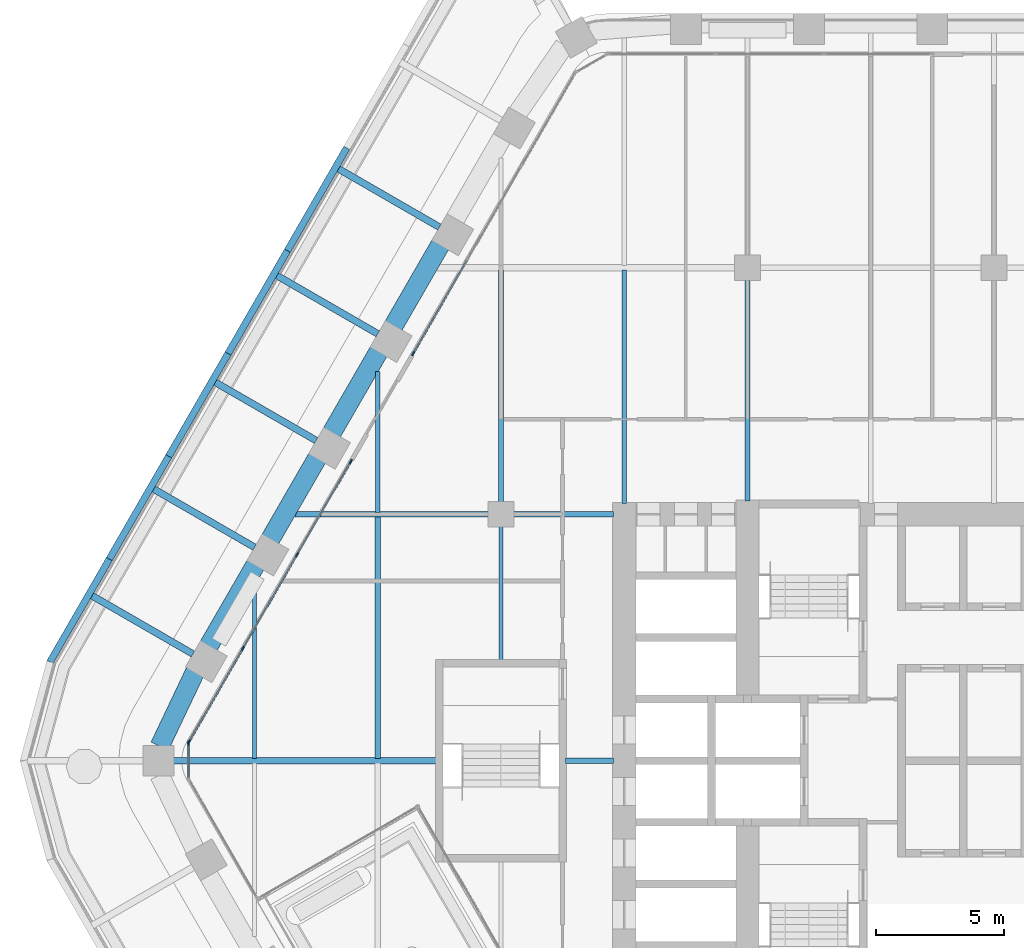
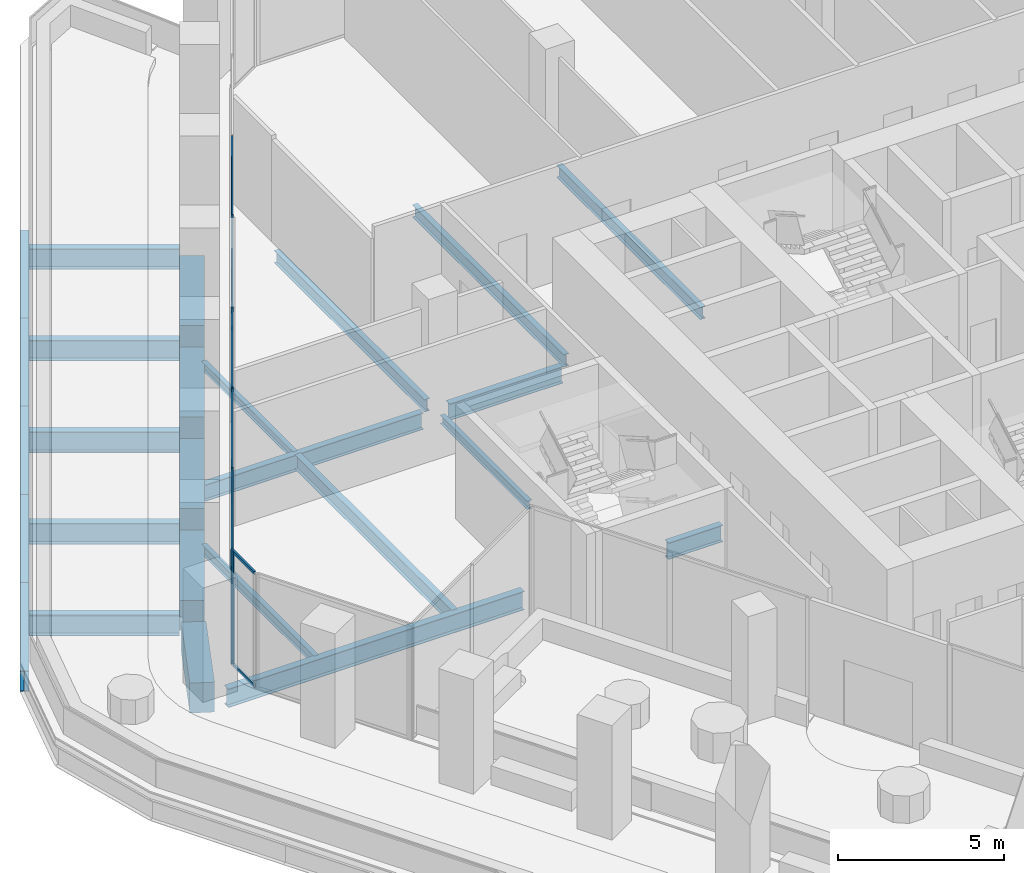
# One storey, part 7 of 27: 26 beams, 16 members, 3 elements without a shape of their own.
"""IFC4 building model written with IfcOpenShell, lengths in metres."""

from ifc_helpers import new_model, si_unit, direction, frame, origin, origin_2d, place, context, subcontext, project, spatial, rectangle, i_section, extrude, material, material_profile, profile_set, type_object, element, aggregate, save


model = new_model("IFC4")

# Units and contexts
model_context = context("Model", 3, precision=1e-05, world=origin(), true_north=direction((0.0, 1.0)))
body_context = subcontext(model_context, "Body", "Model", "MODEL_VIEW")
ifc_project = project(units=[si_unit("LENGTHUNIT", "METRE"), si_unit("AREAUNIT", "SQUARE_METRE"), si_unit("VOLUMEUNIT", "CUBIC_METRE"), si_unit("PLANEANGLEUNIT", "RADIAN"), si_unit("MASSUNIT", "GRAM", prefix="KILO")], contexts=[model_context])

# Site, building, storey
site_placement = place(None, origin())
site = spatial("IfcSite", under=ifc_project, at=site_placement, CompositionType="ELEMENT")
building_placement = place(site_placement, origin())
building = spatial("IfcBuilding", under=site, at=building_placement, Name="Kolab Exchange Tower", CompositionType="ELEMENT")
storey_placement = place(building_placement, frame((0.0, 0.0, 122.89990234375)))
storey = spatial("IfcBuildingStorey", under=building, at=storey_placement, Name="L24", CompositionType="ELEMENT", Elevation=122.89990234375)

# Beams
ifc_material_1 = material(Name="Steel S355", Category="steel")
ifc_material_profile_1 = material_profile(ifc_material_1, i_section(OverallWidth=0.1650390625, OverallDepth=0.31005859375, WebThickness=0.005859375, FlangeThickness=0.009765625, at=origin_2d()), Name="W310X39")
ifc_profile_set_1 = profile_set([ifc_material_profile_1], Name="Steel S355")
beam_type_1 = type_object("IfcBeamType", Name="FLOOR BEAM W310X39", PredefinedType="BEAM", material=ifc_profile_set_1)
beam_1_placement = place(storey_placement, frame((-24.0, 9.674072265625, -0.35498046875), z_axis=(0.0, 1.0, 0.0), x_axis=(-1.0, 0.0, 0.0)))
element("IfcBeam", 1, at=beam_1_placement, inside=storey, type_object=beam_type_1, Name="beam/L24/fr/005", PredefinedType="BEAM", context=body_context, shape_type="SweptSolid", body=[
    extrude(i_section(OverallWidth=0.1650390625, OverallDepth=0.31005859375, WebThickness=0.005859375, FlangeThickness=0.009765625, at=origin_2d()), origin(), (0.0, 0.0, 1.0), 5.49365234375),
])
beam_2_placement = place(storey_placement, frame((-19.199951171875, 3.909912109375, -0.35498046875), z_axis=(0.0, 1.0, 0.0), x_axis=(-1.0, 0.0, 0.0)))
element("IfcBeam", 2, at=beam_2_placement, inside=storey, type_object=beam_type_1, Name="beam/L24/fr/009", PredefinedType="BEAM", context=body_context, shape_type="SweptSolid", body=[
    extrude(i_section(OverallWidth=0.1650390625, OverallDepth=0.31005859375, WebThickness=0.005859375, FlangeThickness=0.009765625, at=origin_2d()), origin(), (0.0, 0.0, 1.0), 5.22998046875),
])
ifc_material_profile_2 = material_profile(ifc_material_1, i_section(OverallWidth=0.1708984375, OverallDepth=0.35498046875, WebThickness=0.007080078125, FlangeThickness=0.01171875, at=origin_2d()), Name="W360X51")
ifc_profile_set_2 = profile_set([ifc_material_profile_2], Name="Steel S355")
beam_type_2 = type_object("IfcBeamType", Name="FLOOR BEAM W360X51", PredefinedType="BEAM", material=ifc_profile_set_2)
beam_3_placement = place(storey_placement, frame((-28.800048828125, 0.0869140625, -0.37744140625), z_axis=(0.0, 1.0, 0.0), x_axis=(-1.0, 0.0, 0.0)))
element("IfcBeam", 3, at=beam_3_placement, inside=storey, type_object=beam_type_2, Name="beam/L24/fr/001", PredefinedType="BEAM", context=body_context, shape_type="SweptSolid", body=[
    extrude(i_section(OverallWidth=0.1708984375, OverallDepth=0.35498046875, WebThickness=0.007080078125, FlangeThickness=0.01171875, at=origin_2d()), origin(), (0.0, 0.0, 1.0), 6.766845703125),
])
ifc_material_profile_3 = material_profile(ifc_material_1, i_section(OverallWidth=0.18994140625, OverallDepth=0.45703125, WebThickness=0.009033203125, FlangeThickness=0.014404296875, at=origin_2d()), Name="W460X74")
ifc_profile_set_3 = profile_set([ifc_material_profile_3], Name="Steel S355")
beam_type_3 = type_object("IfcBeamType", Name="FLOOR BEAM W460X74", PredefinedType="BEAM", material=ifc_profile_set_3)
beam_4_placement = place(storey_placement, frame((-19.199951171875, 10.06005859375, -0.428466796875), z_axis=(0.0, 1.0, 0.0), x_axis=(-1.0, 0.0, 0.0)))
element("IfcBeam", 4, at=beam_4_placement, inside=storey, type_object=beam_type_3, Name="beam/L24/fr/010", PredefinedType="BEAM", context=body_context, shape_type="SweptSolid", body=[
    extrude(i_section(OverallWidth=0.18994140625, OverallDepth=0.45703125, WebThickness=0.009033203125, FlangeThickness=0.014404296875, at=origin_2d()), origin(), (0.0, 0.0, 1.0), 9.04638671875),
])
beam_5_placement = place(storey_placement, frame((-14.39990234375, 10.010009765625, -0.428466796875), z_axis=(0.0, 1.0, 0.0), x_axis=(-1.0, 0.0, 0.0)))
element("IfcBeam", 5, at=beam_5_placement, inside=storey, type_object=beam_type_3, Name="beam/L24/fr/014", PredefinedType="BEAM", context=body_context, shape_type="SweptSolid", body=[
    extrude(i_section(OverallWidth=0.18994140625, OverallDepth=0.45703125, WebThickness=0.009033203125, FlangeThickness=0.014404296875, at=origin_2d()), origin(), (0.0, 0.0, 1.0), 9.096435546875),
])
beam_6_placement = place(storey_placement, frame((-9.60009765625, 10.110107421875, -0.428466796875), z_axis=(0.0, 1.0, 0.0), x_axis=(-1.0, 0.0, 0.0)))
element("IfcBeam", 6, at=beam_6_placement, inside=storey, type_object=beam_type_3, Name="beam/L24/fr/018", PredefinedType="BEAM", context=body_context, shape_type="SweptSolid", body=[
    extrude(i_section(OverallWidth=0.18994140625, OverallDepth=0.45703125, WebThickness=0.009033203125, FlangeThickness=0.014404296875, at=origin_2d()), origin(), (0.0, 0.0, 1.0), 8.6298828125),
])
ifc_material_profile_4 = material_profile(ifc_material_1, i_section(OverallWidth=0.208984375, OverallDepth=0.532958984375, WebThickness=0.01025390625, FlangeThickness=0.015625, at=origin_2d()), Name="W530X92")
ifc_profile_set_4 = profile_set([ifc_material_profile_4], Name="Steel S355")
beam_type_4 = type_object("IfcBeamType", Name="FLOOR BEAM W530X92", PredefinedType="BEAM", material=ifc_profile_set_4)
beam_7_placement = place(storey_placement, frame((-24.0, 0.0869140625, -0.46630859375), z_axis=(0.0, 1.0, 0.0), x_axis=(-1.0, 0.0, 0.0)))
element("IfcBeam", 7, at=beam_7_placement, inside=storey, type_object=beam_type_4, Name="beam/L24/fr/004", PredefinedType="BEAM", context=body_context, shape_type="SweptSolid", body=[
    extrude(i_section(OverallWidth=0.208984375, OverallDepth=0.532958984375, WebThickness=0.01025390625, FlangeThickness=0.015625, at=origin_2d()), origin(), (0.0, 0.0, 1.0), 9.43896484375),
])
ifc_material_profile_5 = material_profile(ifc_material_1, i_section(OverallWidth=0.22802734375, OverallDepth=0.60791015625, WebThickness=0.01123046875, FlangeThickness=0.017333984375, at=origin_2d()), Name="W610X113")
ifc_profile_set_5 = profile_set([ifc_material_profile_5], Name="Steel S355")
beam_type_5 = type_object("IfcBeamType", Name="FLOOR GIRDER W610X113", PredefinedType="BEAM", material=ifc_profile_set_5)
beam_8_placement = place(storey_placement, frame((-27.2314453125, 9.60009765625, -0.50390625), z_axis=(1.0, 0.0, 0.0), x_axis=(0.0, 1.0, 0.0)))
element("IfcBeam", 8, at=beam_8_placement, inside=storey, type_object=beam_type_5, Name="beam/L24/gd/002", PredefinedType="BEAM", context=body_context, shape_type="SweptSolid", body=[
    extrude(i_section(OverallWidth=0.22802734375, OverallDepth=0.60791015625, WebThickness=0.01123046875, FlangeThickness=0.017333984375, at=origin_2d()), origin(), (0.0, 0.0, 1.0), 7.571533203125),
])
beam_9_placement = place(storey_placement, frame((-18.739990234375, 9.60009765625, -0.50390625), z_axis=(1.0, 0.0, 0.0), x_axis=(0.0, 1.0, 0.0)))
element("IfcBeam", 9, at=beam_9_placement, inside=storey, type_object=beam_type_5, Name="beam/L24/gd/006", PredefinedType="BEAM", context=body_context, shape_type="SweptSolid", body=[
    extrude(i_section(OverallWidth=0.22802734375, OverallDepth=0.60791015625, WebThickness=0.01123046875, FlangeThickness=0.017333984375, at=origin_2d()), origin(), (0.0, 0.0, 1.0), 3.929931640625),
])
beam_10_placement = place(storey_placement, frame((-16.68994140625, 0.0, -0.50390625), z_axis=(1.0, 0.0, 0.0), x_axis=(0.0, 1.0, 0.0)))
element("IfcBeam", 10, at=beam_10_placement, inside=storey, type_object=beam_type_5, Name="beam/L24/gd/007", PredefinedType="BEAM", context=body_context, shape_type="SweptSolid", body=[
    extrude(i_section(OverallWidth=0.22802734375, OverallDepth=0.60791015625, WebThickness=0.01123046875, FlangeThickness=0.017333984375, at=origin_2d()), origin(), (0.0, 0.0, 1.0), 1.8798828125),
])
ifc_material_profile_6 = material_profile(ifc_material_1, i_section(OverallWidth=0.25390625, OverallDepth=0.68408203125, WebThickness=0.012451171875, FlangeThickness=0.018798828125, at=origin_2d()), Name="W690X140")
ifc_profile_set_6 = profile_set([ifc_material_profile_6], Name="Steel S355")
beam_type_6 = type_object("IfcBeamType", Name="FLOOR GIRDER W690X140", PredefinedType="BEAM", material=ifc_profile_set_6)
beam_11_placement = place(storey_placement, frame((-31.975830078125, 0.0, -0.5419921875), z_axis=(1.0, 0.0, 0.0), x_axis=(0.0, 1.0, 0.0)))
element("IfcBeam", 11, at=beam_11_placement, inside=storey, type_object=beam_type_6, Name="beam/L24/gd/000", PredefinedType="BEAM", context=body_context, shape_type="SweptSolid", body=[
    extrude(i_section(OverallWidth=0.25390625, OverallDepth=0.68408203125, WebThickness=0.012451171875, FlangeThickness=0.018798828125, at=origin_2d()), origin(), (0.0, 0.0, 1.0), 10.265869140625),
])
ifc_material_profile_7 = material_profile(ifc_material_1, i_section(OverallWidth=0.26708984375, OverallDepth=0.761962890625, WebThickness=0.014404296875, FlangeThickness=0.021484375, at=origin_2d()), Name="W760X173")
ifc_profile_set_7 = profile_set([ifc_material_profile_7], Name="Steel S355")
beam_type_7 = type_object("IfcBeamType", Name="FLOOR GIRDER W760X173", PredefinedType="BEAM", material=ifc_profile_set_7)
for number, where, z_axis, x_axis, name in (
    (12, (-31.199951171875, 4.156982421875, -0.640869140625), (-0.866043881399, 0.499967994467, 0.0), (-0.499967994467, -0.866043881399, 0.0), "beam/L24/ledge/rib-08"),
    (13, (-28.800048828125, 8.313720703125, -0.640869140625), (-0.866007095043, 0.500031710329, 0.0), (-0.500031710329, -0.866007095043, 0.0), "beam/L24/ledge/rib-09"),
):
    element("IfcBeam", number, at=place(storey_placement, frame(where, z_axis=z_axis, x_axis=x_axis)), inside=storey, type_object=beam_type_7, Name=name, PredefinedType="BEAM", context=body_context, shape_type="SweptSolid", body=[
        extrude(i_section(OverallWidth=0.26708984375, OverallDepth=0.761962890625, WebThickness=0.014404296875, FlangeThickness=0.021484375, at=origin_2d()), origin(), (0.0, 0.0, 1.0), 4.532958984375),
    ])
for number, where, z_axis, x_axis, name in (
    (14, (-26.39990234375, 12.470703125, -0.640869140625), (-0.866020560687, 0.500008388397, 0.0), (-0.500008388397, -0.866020560687, 0.0), "beam/L24/ledge/rib-10"),
    (15, (-24.0, 16.627685546875, -0.640869140625), (-0.866020560687, 0.500008388397, 0.0), (-0.500008388397, -0.866020560687, 0.0), "beam/L24/ledge/rib-11"),
):
    element("IfcBeam", number, at=place(storey_placement, frame(where, z_axis=z_axis, x_axis=x_axis)), inside=storey, type_object=beam_type_7, Name=name, PredefinedType="BEAM", context=body_context, shape_type="SweptSolid", body=[
        extrude(i_section(OverallWidth=0.26708984375, OverallDepth=0.761962890625, WebThickness=0.014404296875, FlangeThickness=0.021484375, at=origin_2d()), origin(), (0.0, 0.0, 1.0), 4.533203125),
    ])
beam_12_placement = place(storey_placement, frame((-21.60009765625, 20.78466796875, -0.640869140625), z_axis=(-0.866030417568, 0.499991315771, 0.0), x_axis=(-0.499991315771, -0.866030417568, 0.0)))
element("IfcBeam", 16, at=beam_12_placement, inside=storey, type_object=beam_type_7, Name="beam/L24/ledge/rib-12", PredefinedType="BEAM", context=body_context, shape_type="SweptSolid", body=[
    extrude(i_section(OverallWidth=0.26708984375, OverallDepth=0.761962890625, WebThickness=0.014404296875, FlangeThickness=0.021484375, at=origin_2d()), origin(), (0.0, 0.0, 1.0), 4.53271484375),
])
beam_13_placement = place(storey_placement, frame((-36.7666015625, 3.848388671875, -0.640869140625), z_axis=(0.500018043048, 0.866014986375, 0.0), x_axis=(-0.866014986375, 0.500018043048, 0.0)))
element("IfcBeam", 17, at=beam_13_placement, inside=storey, type_object=beam_type_7, Name="beam/L24/ledge/edge-10", PredefinedType="BEAM", context=body_context, shape_type="SweptSolid", body=[
    extrude(i_section(OverallWidth=0.26708984375, OverallDepth=0.761962890625, WebThickness=0.014404296875, FlangeThickness=0.021484375, at=origin_2d()), origin(), (0.0, 0.0, 1.0), 4.623291015625),
])
beam_14_placement = place(storey_placement, frame((-34.454833984375, 7.852294921875, -0.640869140625), z_axis=(0.500001304485, 0.866024650639, 0.0), x_axis=(-0.866024650639, 0.500001304485, 0.0)))
element("IfcBeam", 18, at=beam_14_placement, inside=storey, type_object=beam_type_7, Name="beam/L24/ledge/edge-11", PredefinedType="BEAM", context=body_context, shape_type="SweptSolid", body=[
    extrude(i_section(OverallWidth=0.26708984375, OverallDepth=0.761962890625, WebThickness=0.014404296875, FlangeThickness=0.021484375, at=origin_2d()), origin(), (0.0, 0.0, 1.0), 4.623046875),
])
beam_15_placement = place(storey_placement, frame((-32.143310546875, 11.85595703125, -0.640869140625), z_axis=(0.499978438088, 0.866037852202, 0.0), x_axis=(-0.866037852202, 0.499978438088, 0.0)))
element("IfcBeam", 19, at=beam_15_placement, inside=storey, type_object=beam_type_7, Name="beam/L24/ledge/edge-12", PredefinedType="BEAM", context=body_context, shape_type="SweptSolid", body=[
    extrude(i_section(OverallWidth=0.26708984375, OverallDepth=0.761962890625, WebThickness=0.014404296875, FlangeThickness=0.021484375, at=origin_2d()), origin(), (0.0, 0.0, 1.0), 4.623291015625),
])
beam_16_placement = place(storey_placement, frame((-29.831787109375, 15.85986328125, -0.640869140625), z_axis=(0.500040910048, 0.866001783069, 0.0), x_axis=(-0.866001783069, 0.500040910048, 0.0)))
element("IfcBeam", 20, at=beam_16_placement, inside=storey, type_object=beam_type_7, Name="beam/L24/ledge/edge-13", PredefinedType="BEAM", context=body_context, shape_type="SweptSolid", body=[
    extrude(i_section(OverallWidth=0.26708984375, OverallDepth=0.761962890625, WebThickness=0.014404296875, FlangeThickness=0.021484375, at=origin_2d()), origin(), (0.0, 0.0, 1.0), 4.623046875),
])
beam_17_placement = place(storey_placement, frame((-27.52001953125, 19.863525390625, -0.640869140625), z_axis=(0.499978438088, 0.866037852202, 0.0), x_axis=(-0.866037852202, 0.499978438088, 0.0)))
element("IfcBeam", 21, at=beam_17_placement, inside=storey, type_object=beam_type_7, Name="beam/L24/ledge/edge-14", PredefinedType="BEAM", context=body_context, shape_type="SweptSolid", body=[
    extrude(i_section(OverallWidth=0.26708984375, OverallDepth=0.761962890625, WebThickness=0.014404296875, FlangeThickness=0.021484375, at=origin_2d()), origin(), (0.0, 0.0, 1.0), 4.623291015625),
])
ifc_material_2 = material(Name="Concrete C70/85", Category="concrete")
ifc_material_profile_8 = material_profile(ifc_material_2, rectangle(XDim=0.75, YDim=1.10009765625, at=origin_2d()), Name="RC750X1100")
ifc_profile_set_8 = profile_set([ifc_material_profile_8], Name="Concrete C70/85")
beam_type_8 = type_object("IfcBeamType", Name="SPANDREL BEAM 750X1100 C70/85", PredefinedType="BEAM", material=ifc_profile_set_8)
beam_18_placement = place(storey_placement, frame((-32.492919921875, 0.56396484375, -0.75), z_axis=(0.429041292193, 0.903284877319, 0.0), x_axis=(-0.903284877319, 0.429041292193, 0.0)))
element("IfcBeam", 22, at=beam_18_placement, inside=storey, type_object=beam_type_8, Name="beam/L24/sp/F6-01", PredefinedType="BEAM", context=body_context, shape_type="SweptSolid", body=[
    extrude(rectangle(XDim=0.75, YDim=1.10009765625, at=origin_2d()), origin(), (0.0, 0.0, 1.0), 3.208251953125),
])
for number, where, z_axis, x_axis, name in (
    (23, (-30.59521484375, 4.454345703125, -0.75), (0.500013413428, 0.866017659399, 0.0), (-0.866017659399, 0.500013413428, 0.0), "beam/L24/sp/F6-02"),
    (24, (-28.1953125, 8.611328125, -0.75), (0.500013413428, 0.866017659399, 0.0), (-0.866017659399, 0.500013413428, 0.0), "beam/L24/sp/F6-03"),
):
    element("IfcBeam", number, at=place(storey_placement, frame(where, z_axis=z_axis, x_axis=x_axis)), inside=storey, type_object=beam_type_8, Name=name, PredefinedType="BEAM", context=body_context, shape_type="SweptSolid", body=[
        extrude(rectangle(XDim=0.75, YDim=1.10009765625, at=origin_2d()), origin(), (0.0, 0.0, 1.0), 3.68017578125),
    ])
beam_19_placement = place(storey_placement, frame((-25.795166015625, 12.768310546875, -0.75), z_axis=(0.499963655964, 0.866046386007, 0.0), x_axis=(-0.866046386007, 0.499963655964, 0.0)))
element("IfcBeam", 25, at=beam_19_placement, inside=storey, type_object=beam_type_8, Name="beam/L24/sp/F6-04", PredefinedType="BEAM", context=body_context, shape_type="SweptSolid", body=[
    extrude(rectangle(XDim=0.75, YDim=1.10009765625, at=origin_2d()), origin(), (0.0, 0.0, 1.0), 3.679931640625),
])
beam_20_placement = place(storey_placement, frame((-23.395263671875, 16.925048828125, -0.75), z_axis=(0.500013413428, 0.866017659399, 0.0), x_axis=(-0.866017659399, 0.500013413428, 0.0)))
element("IfcBeam", 26, at=beam_20_placement, inside=storey, type_object=beam_type_8, Name="beam/L24/sp/F6-05", PredefinedType="BEAM", context=body_context, shape_type="SweptSolid", body=[
    extrude(rectangle(XDim=0.75, YDim=1.10009765625, at=origin_2d()), origin(), (0.0, 0.0, 1.0), 3.68017578125),
])

# Curtain wall, members
ifc_material_3 = material(Name="Aluminium EN AW-6063 T6", Category="aluminium")
curtain_wall_type = type_object("IfcCurtainWallType", Name="UNITISED LOWER MID ZONE CURTAIN WALL", PredefinedType="NOTDEFINED", material=ifc_material_3)
curtain_wall_1_placement = place(storey_placement, origin())
curtain_wall_1 = element("IfcCurtainWall", 27, at=curtain_wall_1_placement, inside=storey, type_object=curtain_wall_type, Name="cw/L24/F6-1", PredefinedType="NOTDEFINED")
ifc_material_profile_9 = material_profile(ifc_material_3, rectangle(XDim=0.06005859375, YDim=0.179931640625, at=origin_2d()), Name="RECT 60X180")
ifc_profile_set_9 = profile_set([ifc_material_profile_9], Name="Aluminium EN AW-6063 T6")
member_type_1 = type_object("IfcMemberType", Name="UNITISED LOWER MID ZONE MULLION 60 X 180", PredefinedType="MULLION", material=ifc_profile_set_9)
member_1_placement = place(storey_placement, frame((-31.3505859375, 0.736083984375, 0.0), z_axis=(0.0, 0.0, 1.0), x_axis=(-0.866025427826, 0.499999958358, 0.0)))
member_1 = element("IfcMember", 28, at=member_1_placement, type_object=member_type_1, Name="CW2 mullion 1", PredefinedType="MULLION", context=body_context, shape_type="SweptSolid", body=[
    extrude(rectangle(XDim=0.06005859375, YDim=0.179931640625, at=origin_2d()), origin(), (0.0, 0.0, 1.0), 4.2001953125),
])
member_2_placement = place(storey_placement, frame((-29.25439453125, 4.366943359375, 0.0), z_axis=(0.0, 0.0, 1.0), x_axis=(-0.866025427826, 0.499999958358, 0.0)))
member_2 = element("IfcMember", 29, at=member_2_placement, type_object=member_type_1, Name="CW2 mullion 2", PredefinedType="MULLION", context=body_context, shape_type="SweptSolid", body=[
    extrude(rectangle(XDim=0.06005859375, YDim=0.179931640625, at=origin_2d()), origin(), (0.0, 0.0, 1.0), 4.2001953125),
])
member_3_placement = place(storey_placement, frame((-27.14306640625, 8.02392578125, 0.0), z_axis=(0.0, 0.0, 1.0), x_axis=(-0.866025427826, 0.499999958358, 0.0)))
member_3 = element("IfcMember", 30, at=member_3_placement, type_object=member_type_1, Name="CW2 mullion 3", PredefinedType="MULLION", context=body_context, shape_type="SweptSolid", body=[
    extrude(rectangle(XDim=0.06005859375, YDim=0.179931640625, at=origin_2d()), origin(), (0.0, 0.0, 1.0), 4.2001953125),
])
member_4_placement = place(storey_placement, frame((-25.046630859375, 11.65478515625, 0.0), z_axis=(0.0, 0.0, 1.0), x_axis=(-0.866025427826, 0.499999958358, 0.0)))
member_4 = element("IfcMember", 31, at=member_4_placement, type_object=member_type_1, Name="CW2 mullion 4", PredefinedType="MULLION", context=body_context, shape_type="SweptSolid", body=[
    extrude(rectangle(XDim=0.06005859375, YDim=0.179931640625, at=origin_2d()), origin(), (0.0, 0.0, 1.0), 4.2001953125),
])

# Curtain wall, member
curtain_wall_2_placement = place(storey_placement, origin())
curtain_wall_2 = element("IfcCurtainWall", 32, at=curtain_wall_2_placement, inside=storey, type_object=curtain_wall_type, Name="cw/L24/F6-2", PredefinedType="NOTDEFINED")
member_5_placement = place(storey_placement, frame((-22.61669921875, 15.86376953125, 0.0), z_axis=(0.0, 0.0, 1.0), x_axis=(-0.866025393644, 0.500000017564, 0.0)))
member_5 = element("IfcMember", 33, at=member_5_placement, type_object=member_type_1, Name="CW2 mullion 1", PredefinedType="MULLION", context=body_context, shape_type="SweptSolid", body=[
    extrude(rectangle(XDim=0.06005859375, YDim=0.179931640625, at=origin_2d()), origin(), (0.0, 0.0, 1.0), 4.2001953125),
])

curtain_wall_3_placement = place(storey_placement, origin())
curtain_wall_3 = element("IfcCurtainWall", 34, at=curtain_wall_3_placement, inside=storey, type_object=curtain_wall_type, Name="cw/L24/F5F6-corner", PredefinedType="NOTDEFINED")
member_6_placement = place(storey_placement, frame((-31.36572265625, 0.679931640625, 0.0), z_axis=(0.0, 0.0, 1.0), x_axis=(-1.0, 0.0, 0.0)))
member_6 = element("IfcMember", 35, at=member_6_placement, type_object=member_type_1, Name="CW2 mullion 2", PredefinedType="MULLION", context=body_context, shape_type="SweptSolid", body=[
    extrude(rectangle(XDim=0.06005859375, YDim=0.179931640625, at=origin_2d()), origin(), (0.0, 0.0, 1.0), 4.2001953125),
])

# Member
ifc_material_profile_10 = material_profile(ifc_material_3, rectangle(XDim=0.06005859375, YDim=0.1201171875, at=origin_2d()), Name="RECT 60X120")
ifc_profile_set_10 = profile_set([ifc_material_profile_10], Name="Aluminium EN AW-6063 T6")
member_type_2 = type_object("IfcMemberType", Name="UNITISED LOWER MID ZONE TRANSOM 60 X 120", PredefinedType="USERDEFINED", material=ifc_profile_set_10)
member_7_placement = place(storey_placement, frame((-31.335693359375, 0.761962890625, 0.030029296875), z_axis=(0.500027577057, 0.866009481578, 0.0), x_axis=(-0.866009481578, 0.500027577057, 0.0)))
member_7 = element("IfcMember", 36, at=member_7_placement, type_object=member_type_2, Name="CW2 transom 1.1", ObjectType="TRANSOM", PredefinedType="USERDEFINED", context=body_context, shape_type="SweptSolid", body=[
    extrude(rectangle(XDim=0.06005859375, YDim=0.1201171875, at=origin_2d()), origin(), (0.0, 0.0, 1.0), 4.132568359375),
])

member_8_placement = place(storey_placement, frame((-31.335693359375, 0.761962890625, 4.170166015625), z_axis=(0.500027577057, 0.866009481578, 0.0), x_axis=(-0.866009481578, 0.500027577057, 0.0)))
member_8 = element("IfcMember", 37, at=member_8_placement, type_object=member_type_2, Name="CW2 transom 1.2", ObjectType="TRANSOM", PredefinedType="USERDEFINED", context=body_context, shape_type="SweptSolid", body=[
    extrude(rectangle(XDim=0.06005859375, YDim=0.1201171875, at=origin_2d()), origin(), (0.0, 0.0, 1.0), 4.132568359375),
])

member_9_placement = place(storey_placement, frame((-29.2392578125, 4.392822265625, 0.030029296875), z_axis=(0.49999322259, 0.866029316688, 0.0), x_axis=(-0.866029316688, 0.49999322259, 0.0)))
member_9 = element("IfcMember", 38, at=member_9_placement, type_object=member_type_2, Name="CW2 transom 2.1", ObjectType="TRANSOM", PredefinedType="USERDEFINED", context=body_context, shape_type="SweptSolid", body=[
    extrude(rectangle(XDim=0.06005859375, YDim=0.1201171875, at=origin_2d()), origin(), (0.0, 0.0, 1.0), 4.16259765625),
])

member_10_placement = place(storey_placement, frame((-29.2392578125, 4.392822265625, 4.170166015625), z_axis=(0.49999322259, 0.866029316688, 0.0), x_axis=(-0.866029316688, 0.49999322259, 0.0)))
member_10 = element("IfcMember", 39, at=member_10_placement, type_object=member_type_2, Name="CW2 transom 2.2", ObjectType="TRANSOM", PredefinedType="USERDEFINED", context=body_context, shape_type="SweptSolid", body=[
    extrude(rectangle(XDim=0.06005859375, YDim=0.1201171875, at=origin_2d()), origin(), (0.0, 0.0, 1.0), 4.16259765625),
])

member_11_placement = place(storey_placement, frame((-27.1279296875, 8.0498046875, 0.030029296875), z_axis=(0.499957688808, 0.866049830784, 0.0), x_axis=(-0.866049830784, 0.499957688808, 0.0)))
member_11 = element("IfcMember", 40, at=member_11_placement, type_object=member_type_2, Name="CW2 transom 3.1", ObjectType="TRANSOM", PredefinedType="USERDEFINED", context=body_context, shape_type="SweptSolid", body=[
    extrude(rectangle(XDim=0.06005859375, YDim=0.1201171875, at=origin_2d()), origin(), (0.0, 0.0, 1.0), 4.132568359375),
])

member_12_placement = place(storey_placement, frame((-27.1279296875, 8.0498046875, 4.170166015625), z_axis=(0.499957688808, 0.866049830784, 0.0), x_axis=(-0.866049830784, 0.499957688808, 0.0)))
member_12 = element("IfcMember", 41, at=member_12_placement, type_object=member_type_2, Name="CW2 transom 3.2", ObjectType="TRANSOM", PredefinedType="USERDEFINED", context=body_context, shape_type="SweptSolid", body=[
    extrude(rectangle(XDim=0.06005859375, YDim=0.1201171875, at=origin_2d()), origin(), (0.0, 0.0, 1.0), 4.132568359375),
])

aggregate(curtain_wall_1, [member_1, member_2, member_3, member_4, member_7, member_8, member_9, member_10, member_11, member_12])

member_13_placement = place(storey_placement, frame((-22.6015625, 15.8896484375, 0.030029296875), z_axis=(0.499957688808, 0.866049830784, 0.0), x_axis=(-0.866049830784, 0.499957688808, 0.0)))
member_13 = element("IfcMember", 42, at=member_13_placement, type_object=member_type_2, Name="CW2 transom 1.1", ObjectType="TRANSOM", PredefinedType="USERDEFINED", context=body_context, shape_type="SweptSolid", body=[
    extrude(rectangle(XDim=0.06005859375, YDim=0.1201171875, at=origin_2d()), origin(), (0.0, 0.0, 1.0), 4.132568359375),
])

member_14_placement = place(storey_placement, frame((-22.6015625, 15.8896484375, 4.170166015625), z_axis=(0.499957688808, 0.866049830784, 0.0), x_axis=(-0.866049830784, 0.499957688808, 0.0)))
member_14 = element("IfcMember", 43, at=member_14_placement, type_object=member_type_2, Name="CW2 transom 1.2", ObjectType="TRANSOM", PredefinedType="USERDEFINED", context=body_context, shape_type="SweptSolid", body=[
    extrude(rectangle(XDim=0.06005859375, YDim=0.1201171875, at=origin_2d()), origin(), (0.0, 0.0, 1.0), 4.132568359375),
])

aggregate(curtain_wall_2, [member_5, member_13, member_14])

member_15_placement = place(storey_placement, frame((-31.36572265625, -0.64990234375, 0.030029296875), z_axis=(0.0, 1.0, 0.0), x_axis=(-1.0, 0.0, 0.0)))
member_15 = element("IfcMember", 44, at=member_15_placement, type_object=member_type_2, Name="CW2 transom 1.1", ObjectType="TRANSOM", PredefinedType="USERDEFINED", context=body_context, shape_type="SweptSolid", body=[
    extrude(rectangle(XDim=0.06005859375, YDim=0.1201171875, at=origin_2d()), origin(), (0.0, 0.0, 1.0), 1.2998046875),
])

member_16_placement = place(storey_placement, frame((-31.36572265625, -0.64990234375, 4.170166015625), z_axis=(0.0, 1.0, 0.0), x_axis=(-1.0, 0.0, 0.0)))
member_16 = element("IfcMember", 45, at=member_16_placement, type_object=member_type_2, Name="CW2 transom 1.2", ObjectType="TRANSOM", PredefinedType="USERDEFINED", context=body_context, shape_type="SweptSolid", body=[
    extrude(rectangle(XDim=0.06005859375, YDim=0.1201171875, at=origin_2d()), origin(), (0.0, 0.0, 1.0), 1.2998046875),
])

aggregate(curtain_wall_3, [member_6, member_15, member_16])

save(model, "model.ifc")
